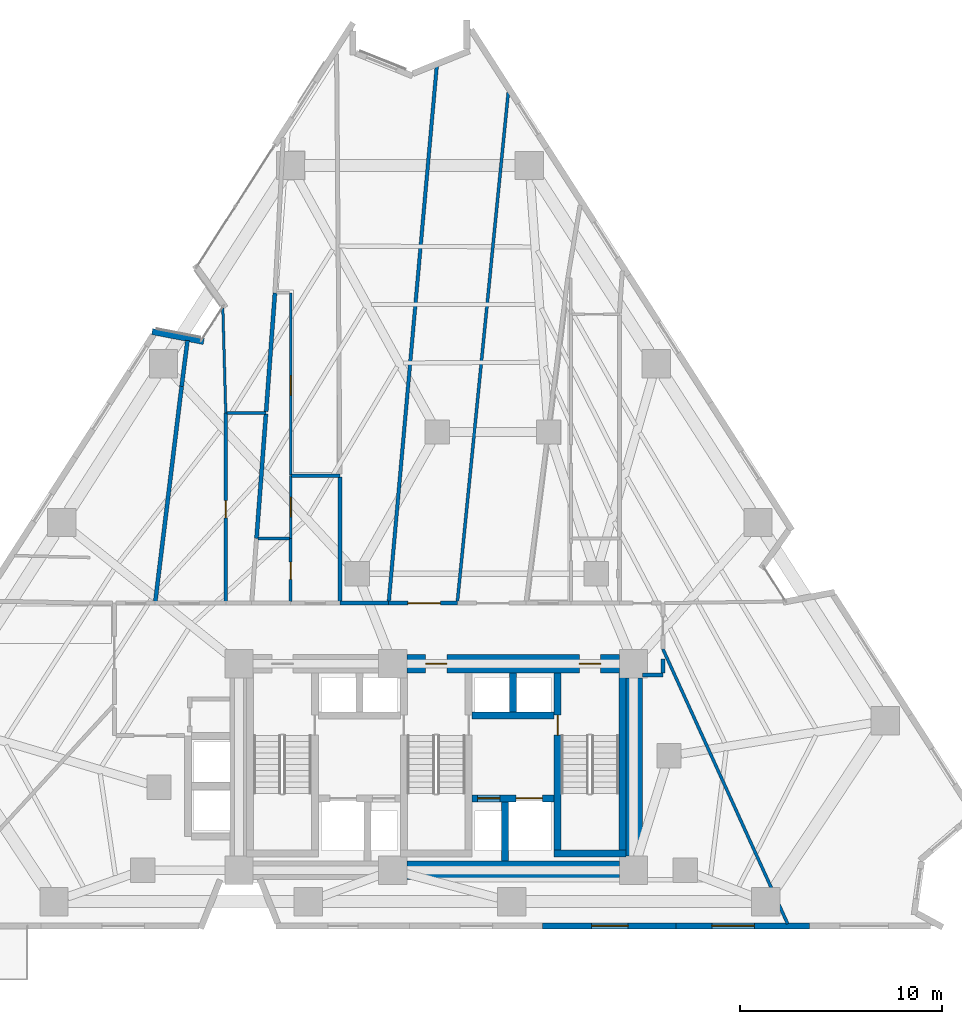
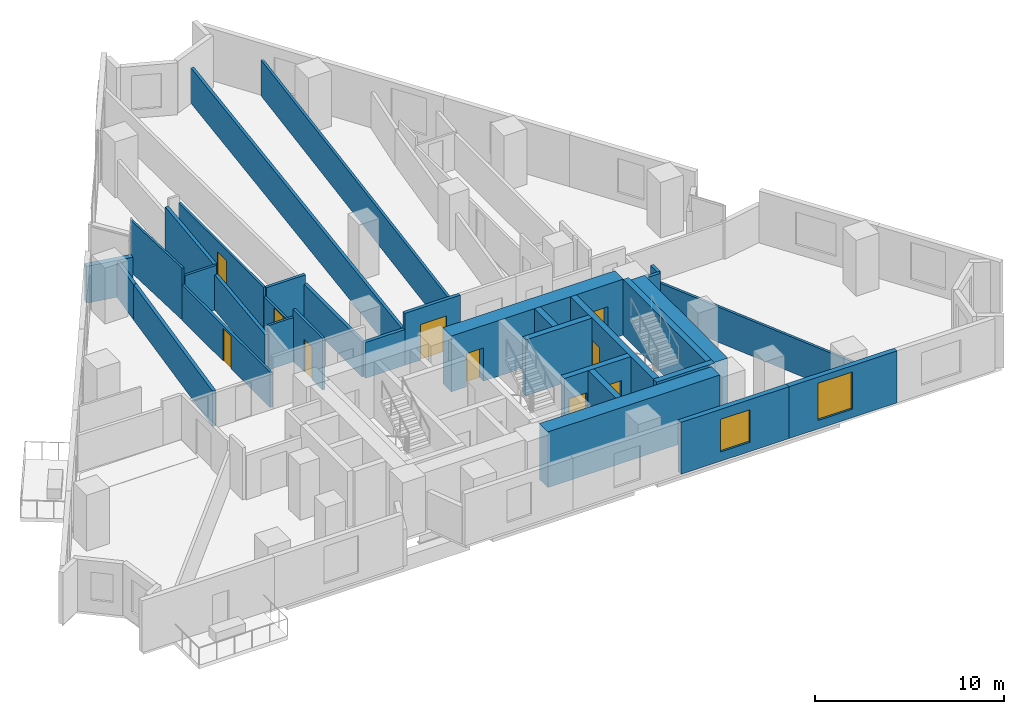
# One storey, part 8 of 14: 33 walls, 10 doors, 2 windows, 12 openings.
"""IFC4 building model written with IfcOpenShell, lengths in metres."""

from ifc_helpers import new_model, si_unit, direction, frame, frame_2d, origin, place, context, subcontext, project, spatial, rectangle, extrude, material, layer, layer_set, type_object, element, fill, save


model = new_model("IFC4")

# Units and contexts
model_context = context("Model", 3, precision=1e-05, world=origin(), true_north=direction((0.0, 1.0)))
body_context = subcontext(model_context, "Body", "Model", "MODEL_VIEW")
ifc_project = project(units=[si_unit("LENGTHUNIT", "METRE"), si_unit("AREAUNIT", "SQUARE_METRE"), si_unit("VOLUMEUNIT", "CUBIC_METRE"), si_unit("PLANEANGLEUNIT", "RADIAN"), si_unit("MASSUNIT", "GRAM", prefix="KILO")], contexts=[model_context])

# Site, building, storey
site_placement = place(None, origin())
site = spatial("IfcSite", under=ifc_project, at=site_placement, CompositionType="ELEMENT")
building_placement = place(site_placement, origin())
building = spatial("IfcBuilding", under=site, at=building_placement, Name="Almagre Mirador Tower", CompositionType="ELEMENT")
storey_placement = place(building_placement, frame((0.0, 0.0, 46.199951171875)))
storey = spatial("IfcBuildingStorey", under=building, at=storey_placement, Name="L10", CompositionType="ELEMENT", Elevation=46.199951171875)

# Wall
ifc_material_1 = material(Name="Precast concrete C50/60", Category="concrete")
ifc_layer_1 = layer(ifc_material_1, 0.300048828125)
ifc_layer_set_1 = layer_set([ifc_layer_1], Name="Precast concrete C50/60")
wall_type_1 = type_object("IfcWallType", Name="WAL-EXT-300", PredefinedType="SOLIDWALL", material=ifc_layer_set_1)
wall_1_placement = place(storey_placement, frame((23.263671875, 31.16552734375, 0.0), z_axis=(0.0, 0.0, 1.0), x_axis=(0.981760587394, -0.190121406053, 0.0)))
element("IfcWall", 1, at=wall_1_placement, inside=storey, type_object=wall_type_1, Name="L10 expressed almagre precast frame wall 01", PredefinedType="SOLIDWALL", context=body_context, shape_type="SweptSolid", body=[
    extrude(rectangle(XDim=2.593994140625, YDim=0.300048828125, at=frame_2d((1.296875, 0.0))), origin(), (0.0, 0.0, 1.0), 2.375),
])

# Wall, opening, window
wall_2_placement = place(storey_placement, frame((55.747314453125, 1.800048828125, 0.0), z_axis=(0.0, 0.0, 1.0), x_axis=(-1.0, 0.0, 0.0)))
wall_2 = element("IfcWall", 2, at=wall_2_placement, inside=storey, type_object=wall_type_1, Name="L10 expressed almagre precast frame wall 21", PredefinedType="SOLIDWALL", context=body_context, shape_type="SweptSolid", body=[
    extrude(rectangle(XDim=6.593017578125, YDim=0.300048828125, at=frame_2d((3.29638671875, 0.0))), origin(), (0.0, 0.0, 1.0), 3.35009765625),
])
opening_1_placement = place(wall_2_placement, frame((2.72509765625, 0.0, 0.550048828125)))
opening_1 = element("IfcOpeningElement", 3, at=opening_1_placement, cuts=wall_2, Name="Opening WN-05", PredefinedType="OPENING", context=body_context, shape_type="SweptSolid", body=[
    extrude(rectangle(XDim=2.10009765625, YDim=2.39990234375, at=frame_2d((1.050048828125, 1.199951171875))), frame((0.0, 0.159902, 0.0), z_axis=(0.0, -1.0, 0.0), x_axis=(1.0, 0.0, 0.0)), (0.0, 0.0, 1.0), 0.320049),
])
ifc_material_2 = material(Name="Dark solar-control laminated hurricane glass", Category="glass")
window_type_1 = type_object("IfcWindowType", Name="WIN-2100X2400", PartitioningType="DOUBLE_PANEL_VERTICAL", PredefinedType="WINDOW", material=ifc_material_2)
window_1_placement = place(opening_1_placement, origin())
window_1 = element("IfcWindow", 4, at=window_1_placement, inside=storey, type_object=window_type_1, Name="L10 recessed hurricane window L10-RST-B", OverallHeight=2.39990234375, OverallWidth=2.10009765625, PartitioningType="SINGLE_PANEL", PredefinedType="WINDOW", context=body_context, shape_type="SweptSolid", body=[
    extrude(rectangle(XDim=2.10009765625, YDim=2.39990234375, at=frame_2d((1.050048828125, 1.199951171875))), frame((0.0, 0.030029296875, 0.0), z_axis=(0.0, -1.0, 0.0), x_axis=(1.0, 0.0, 0.0)), (0.0, 0.0, 1.0), 0.06005859375),
])
fill(opening_1, window_1)

wall_3_placement = place(storey_placement, frame((49.154296875, 1.800048828125, 0.0), z_axis=(0.0, 0.0, 1.0), x_axis=(-1.0, 0.0, 0.0)))
wall_3 = element("IfcWall", 5, at=wall_3_placement, inside=storey, type_object=wall_type_1, Name="L10 expressed almagre precast frame wall 22", PredefinedType="SOLIDWALL", context=body_context, shape_type="SweptSolid", body=[
    extrude(rectangle(XDim=6.5927734375, YDim=0.300048828125, at=frame_2d((3.29638671875, 0.0))), origin(), (0.0, 0.0, 1.0), 3.35009765625),
])
opening_2_placement = place(wall_3_placement, frame((2.375, 0.0, 0.60009765625)))
opening_2 = element("IfcOpeningElement", 6, at=opening_2_placement, cuts=wall_3, Name="Opening WN-01", PredefinedType="OPENING", context=body_context, shape_type="SweptSolid", body=[
    extrude(rectangle(XDim=1.800048828125, YDim=2.10009765625, at=frame_2d((0.89990234375, 1.050048828125))), frame((0.0, 0.159902, 0.0), z_axis=(0.0, -1.0, 0.0), x_axis=(1.0, 0.0, 0.0)), (0.0, 0.0, 1.0), 0.320049),
])
ifc_material_3 = material(Name="Dark solar-control laminated hurricane glass", Category="glass")
window_type_2 = type_object("IfcWindowType", Name="WIN-1800X2100", PartitioningType="DOUBLE_PANEL_VERTICAL", PredefinedType="WINDOW", material=ifc_material_3)
window_2_placement = place(opening_2_placement, origin())
window_2 = element("IfcWindow", 7, at=window_2_placement, inside=storey, type_object=window_type_2, Name="L10 recessed hurricane window L10-RST-B", OverallHeight=2.10009765625, OverallWidth=1.800048828125, PartitioningType="SINGLE_PANEL", PredefinedType="WINDOW", context=body_context, shape_type="SweptSolid", body=[
    extrude(rectangle(XDim=1.800048828125, YDim=2.10009765625, at=frame_2d((0.89990234375, 1.050048828125))), frame((0.0, 0.030029296875, 0.0), z_axis=(0.0, -1.0, 0.0), x_axis=(1.0, 0.0, 0.0)), (0.0, 0.0, 1.0), 0.06005859375),
])
fill(opening_2, window_2)

# Wall
ifc_material_4 = material(Name="Gypsum acoustic stud partition", Category="other")
ifc_layer_2 = layer(ifc_material_4, 0.125)
ifc_layer_set_2 = layer_set([ifc_layer_2], Name="Gypsum acoustic stud partition")
wall_type_2 = type_object("IfcWallType", Name="WAL-PRT-125-UTL", PredefinedType="PARTITIONING", material=ifc_layer_set_2)
wall_4_placement = place(storey_placement, frame((26.89990234375, 27.14990234375, 0.0), z_axis=(0.0, 0.0, 1.0), x_axis=(-0.027919708485, 0.999610168955, 0.0)))
element("IfcWall", 8, at=wall_4_placement, inside=storey, type_object=wall_type_2, Name="L10 interior partition 040", PredefinedType="PARTITIONING", context=body_context, shape_type="SweptSolid", body=[
    extrude(rectangle(XDim=5.194091796875, YDim=0.125, at=frame_2d((2.59716796875, 0.0))), origin(), (0.0, 0.0, 1.0), 3.35009765625),
])

# Wall, opening, door
wall_5_placement = place(storey_placement, frame((30.10009765625, 24.050048828125, 0.0), z_axis=(0.0, 0.0, 1.0), x_axis=(0.0, -1.0, 0.0)))
wall_5 = element("IfcWall", 9, at=wall_5_placement, inside=storey, type_object=wall_type_2, Name="L10 interior partition 047", PredefinedType="PARTITIONING", context=body_context, shape_type="SweptSolid", body=[
    extrude(rectangle(XDim=3.10009765625, YDim=0.125, at=frame_2d((1.550048828125, 0.0))), origin(), (0.0, 0.0, 1.0), 2.279052734375),
])
opening_3_placement = place(wall_5_placement, frame((1.074951171875, 0.0, 0.0)))
opening_3 = element("IfcOpeningElement", 10, at=opening_3_placement, cuts=wall_5, Name="Opening UD-01", PredefinedType="OPENING", context=body_context, shape_type="SweptSolid", body=[
    extrude(rectangle(XDim=0.949951171875, YDim=2.199951171875, at=frame_2d((0.47509765625, 1.10009765625))), frame((0.0, 0.0725, 0.0), z_axis=(0.0, -1.0, 0.0), x_axis=(1.0, 0.0, 0.0)), (0.0, 0.0, 1.0), 0.145),
])
ifc_material_5 = material(Name="Solid American walnut timber", Category="wood")
door_type_1 = type_object("IfcDoorType", Name="DOR-UNR-950X2200", OperationType="NOTDEFINED", PredefinedType="DOOR", material=ifc_material_5)
door_1_placement = place(opening_3_placement, origin())
door_1 = element("IfcDoor", 11, at=door_1_placement, inside=storey, type_object=door_type_1, Name="DR-0335 L10 interior door L10-UJ-ST to L10-UJ-KT", OperationType="SINGLE_SWING_LEFT", OverallHeight=2.199951171875, OverallWidth=0.949951171875, PredefinedType="DOOR", context=body_context, shape_type="SweptSolid", body=[
    extrude(rectangle(XDim=0.949951171875, YDim=2.199951171875, at=frame_2d((0.47509765625, 1.10009765625))), frame((0.0, 0.02490234375, 0.0), z_axis=(0.0, -1.0, 0.0), x_axis=(1.0, 0.0, 0.0)), (0.0, 0.0, 1.0), 0.050048828125),
])
fill(opening_3, door_1)

wall_6_placement = place(storey_placement, frame((30.10009765625, 24.074951171875, 0.0), z_axis=(0.0, 0.0, 1.0), x_axis=(0.0, 1.0, 0.0)))
wall_6 = element("IfcWall", 12, at=wall_6_placement, inside=storey, type_object=wall_type_2, Name="L10 interior partition 051", PredefinedType="PARTITIONING", context=body_context, shape_type="SweptSolid", body=[
    extrude(rectangle(XDim=9.005126953125, YDim=0.125, at=frame_2d((4.50244140625, 0.0))), origin(), (0.0, 0.0, 1.0), 2.860107421875),
])
opening_4_placement = place(wall_6_placement, frame((3.955078125, 0.0, 0.0)))
opening_4 = element("IfcOpeningElement", 13, at=opening_4_placement, cuts=wall_6, Name="Opening UD-01", PredefinedType="OPENING", context=body_context, shape_type="SweptSolid", body=[
    extrude(rectangle(XDim=0.949951171875, YDim=2.199951171875, at=frame_2d((0.47509765625, 1.10009765625))), frame((0.0, 0.0725, 0.0), z_axis=(0.0, -1.0, 0.0), x_axis=(1.0, 0.0, 0.0)), (0.0, 0.0, 1.0), 0.145),
])
door_2_placement = place(opening_4_placement, origin())
door_2 = element("IfcDoor", 14, at=door_2_placement, inside=storey, type_object=door_type_1, Name="DR-0337 L10 interior door L10-UJ-KT to L10-UJ-SL1", OperationType="SINGLE_SWING_LEFT", OverallHeight=2.199951171875, OverallWidth=0.949951171875, PredefinedType="DOOR", context=body_context, shape_type="SweptSolid", body=[
    extrude(rectangle(XDim=0.949951171875, YDim=2.199951171875, at=frame_2d((0.47509765625, 1.10009765625))), frame((0.0, 0.02490234375, 0.0), z_axis=(0.0, -1.0, 0.0), x_axis=(1.0, 0.0, 0.0)), (0.0, 0.0, 1.0), 0.050048828125),
])
fill(opening_4, door_2)

# Wall
ifc_material_6 = material(Name="Gypsum acoustic stud partition", Category="other")
ifc_layer_3 = layer(ifc_material_6, 0.14990234375)
ifc_layer_set_3 = layer_set([ifc_layer_3], Name="Gypsum acoustic stud partition")
wall_type_3 = type_object("IfcWallType", Name="WAL-PRT-150-STD", PredefinedType="PARTITIONING", material=ifc_layer_set_3)
wall_7_placement = place(storey_placement, frame((54.6640625, 1.903076171875, 0.0), z_axis=(0.0, 0.0, 1.0), x_axis=(-0.413399508634, 0.910549749471, 0.0)))
element("IfcWall", 15, at=wall_7_placement, inside=storey, type_object=wall_type_3, Name="L10 interior partition 019", PredefinedType="PARTITIONING", context=body_context, shape_type="SweptSolid", body=[
    extrude(rectangle(XDim=14.91064453125, YDim=0.14990234375, at=frame_2d((7.455322265625, 0.0))), origin(), (0.0, 0.0, 1.0), 2.279052734375),
])

# Wall, opening, door
wall_8_placement = place(storey_placement, frame((26.89990234375, 17.8349609375, 0.0), z_axis=(0.0, 0.0, 1.0), x_axis=(0.0, 1.0, 0.0)))
wall_8 = element("IfcWall", 16, at=wall_8_placement, inside=storey, type_object=wall_type_3, Name="L10 interior partition 039", PredefinedType="PARTITIONING", context=body_context, shape_type="SweptSolid", body=[
    extrude(rectangle(XDim=9.31494140625, YDim=0.14990234375, at=frame_2d((4.657470703125, 0.0))), origin(), (0.0, 0.0, 1.0), 2.279052734375),
])
opening_5_placement = place(wall_8_placement, frame((4.130126953125, 0.0, 0.0)))
opening_5 = element("IfcOpeningElement", 17, at=opening_5_placement, cuts=wall_8, Name="Opening UD-04", PredefinedType="OPENING", context=body_context, shape_type="SweptSolid", body=[
    extrude(rectangle(XDim=0.85009765625, YDim=2.10009765625, at=frame_2d((0.425048828125, 1.050048828125))), frame((0.0, 0.084951, 0.0), z_axis=(0.0, -1.0, 0.0), x_axis=(1.0, 0.0, 0.0)), (0.0, 0.0, 1.0), 0.169902),
])
ifc_material_7 = material(Name="Moisture-resistant oak timber", Category="wood")
door_type_2 = type_object("IfcDoorType", Name="DOR-UNR-850X2100", OperationType="NOTDEFINED", PredefinedType="DOOR", material=ifc_material_7)
door_3_placement = place(opening_5_placement, origin())
door_3 = element("IfcDoor", 18, at=door_3_placement, inside=storey, type_object=door_type_2, Name="DR-0333 L10 interior door L10-UH-ST to L10-UH-BT", OperationType="SINGLE_SWING_LEFT", OverallHeight=2.10009765625, OverallWidth=0.85009765625, PredefinedType="DOOR", context=body_context, shape_type="SweptSolid", body=[
    extrude(rectangle(XDim=0.85009765625, YDim=2.10009765625, at=frame_2d((0.425048828125, 1.050048828125))), frame((0.0, 0.02490234375, 0.0), z_axis=(0.0, -1.0, 0.0), x_axis=(1.0, 0.0, 0.0)), (0.0, 0.0, 1.0), 0.050048828125),
])
fill(opening_5, door_3)

# Wall
wall_9_placement = place(storey_placement, frame((28.889892578125, 27.14990234375, 0.0), z_axis=(0.0, 0.0, 1.0), x_axis=(-1.0, 0.0, 0.0)))
element("IfcWall", 19, at=wall_9_placement, inside=storey, type_object=wall_type_3, Name="L10 interior partition 041", PredefinedType="PARTITIONING", context=body_context, shape_type="SweptSolid", body=[
    extrude(rectangle(XDim=1.929931640625, YDim=0.14990234375, at=frame_2d((0.96484375, 0.0))), origin(), (0.0, 0.0, 1.0), 2.860107421875),
])

# Wall, opening, door
wall_10_placement = place(storey_placement, frame((30.10009765625, 20.949951171875, 0.0), z_axis=(0.0, 0.0, 1.0), x_axis=(0.0, -1.0, 0.0)))
wall_10 = element("IfcWall", 20, at=wall_10_placement, inside=storey, type_object=wall_type_3, Name="L10 interior partition 046", PredefinedType="PARTITIONING", context=body_context, shape_type="SweptSolid", body=[
    extrude(rectangle(XDim=3.114990234375, YDim=0.14990234375, at=frame_2d((1.5576171875, 0.0))), origin(), (0.0, 0.0, 1.0), 3.35009765625),
])
opening_6_placement = place(wall_10_placement, frame((1.175048828125, 0.0, 0.0)))
opening_6 = element("IfcOpeningElement", 21, at=opening_6_placement, cuts=wall_10, Name="Opening UD-04", PredefinedType="OPENING", context=body_context, shape_type="SweptSolid", body=[
    extrude(rectangle(XDim=0.85009765625, YDim=2.10009765625, at=frame_2d((0.425048828125, 1.050048828125))), frame((0.0, 0.084951, 0.0), z_axis=(0.0, -1.0, 0.0), x_axis=(1.0, 0.0, 0.0)), (0.0, 0.0, 1.0), 0.169902),
])
door_4_placement = place(opening_6_placement, origin())
door_4 = element("IfcDoor", 22, at=door_4_placement, inside=storey, type_object=door_type_2, Name="DR-0336 L10 interior door L10-UJ-ST to L10-UJ-HB", OperationType="SINGLE_SWING_RIGHT", OverallHeight=2.10009765625, OverallWidth=0.85009765625, PredefinedType="DOOR", context=body_context, shape_type="SweptSolid", body=[
    extrude(rectangle(XDim=0.85009765625, YDim=2.10009765625, at=frame_2d((0.425048828125, 1.050048828125))), frame((0.0, 0.02490234375, 0.0), z_axis=(0.0, -1.0, 0.0), x_axis=(1.0, 0.0, 0.0)), (0.0, 0.0, 1.0), 0.050048828125),
])
fill(opening_6, door_4)

# Walls
wall_11_placement = place(storey_placement, frame((30.0400390625, 20.949951171875, 0.0), z_axis=(0.0, 0.0, 1.0), x_axis=(-1.0, 0.0, 0.0)))
element("IfcWall", 23, at=wall_11_placement, inside=storey, type_object=wall_type_3, Name="L10 interior partition 050", PredefinedType="PARTITIONING", context=body_context, shape_type="SweptSolid", body=[
    extrude(rectangle(XDim=1.53515625, YDim=0.14990234375, at=frame_2d((0.767578125, 0.0))), origin(), (0.0, 0.0, 1.0), 2.860107421875),
])
wall_12_placement = place(storey_placement, frame((38.348388671875, 17.834716796875, 0.0), z_axis=(0.0, 0.0, 1.0), x_axis=(0.099373590791, 0.995050194439, 0.0)))
element("IfcWall", 24, at=wall_12_placement, inside=storey, type_object=wall_type_3, Name="L10 interior partition 055", PredefinedType="PARTITIONING", context=body_context, shape_type="SweptSolid", body=[
    extrude(rectangle(XDim=25.26318359375, YDim=0.14990234375, at=frame_2d((12.631591796875, 0.0))), origin(), (0.0, 0.0, 1.0), 2.30908203125),
])
ifc_material_8 = material(Name="Gypsum acoustic stud partition", Category="other")
ifc_layer_4 = layer(ifc_material_8, 0.175048828125)
ifc_layer_set_4 = layer_set([ifc_layer_4], Name="Gypsum acoustic stud partition")
wall_type_4 = type_object("IfcWallType", Name="WAL-PRT-175-AC", PredefinedType="PARTITIONING", material=ifc_layer_set_4)
wall_13_placement = place(storey_placement, frame((32.5400390625, 24.050048828125, 0.0), z_axis=(0.0, 0.0, 1.0), x_axis=(-1.0, 0.0, 0.0)))
element("IfcWall", 25, at=wall_13_placement, inside=storey, type_object=wall_type_4, Name="L10 interior partition 048", PredefinedType="PARTITIONING", context=body_context, shape_type="SweptSolid", body=[
    extrude(rectangle(XDim=2.392578125, YDim=0.175048828125, at=frame_2d((1.1962890625, 0.0))), origin(), (0.0, 0.0, 1.0), 2.860107421875),
])
wall_14_placement = place(storey_placement, frame((34.95751953125, 17.834716796875, 0.0), z_axis=(0.0, 0.0, 1.0), x_axis=(0.089195706305, 0.996014119366, 0.0)))
element("IfcWall", 26, at=wall_14_placement, inside=storey, type_object=wall_type_4, Name="L10 interior partition 054", PredefinedType="PARTITIONING", context=body_context, shape_type="SweptSolid", body=[
    extrude(rectangle(XDim=26.531005859375, YDim=0.175048828125, at=frame_2d((13.265625, 0.0))), origin(), (0.0, 0.0, 1.0), 2.279052734375),
])
ifc_material_9 = material(Name="Gypsum acoustic stud partition", Category="other")
ifc_layer_5 = layer(ifc_material_9, 0.199951171875)
ifc_layer_set_5 = layer_set([ifc_layer_5], Name="Gypsum acoustic stud partition")
wall_type_5 = type_object("IfcWallType", Name="WAL-PRT-200-EI60", PredefinedType="PARTITIONING", material=ifc_layer_set_5)
wall_15_placement = place(storey_placement, frame((47.5, 14.199951171875, 0.0), z_axis=(0.0, 0.0, 1.0), x_axis=(1.0, 0.0, 0.0)))
element("IfcWall", 27, at=wall_15_placement, inside=storey, type_object=wall_type_5, Name="L10 interior partition 003", PredefinedType="PARTITIONING", context=body_context, shape_type="SweptSolid", body=[
    extrude(rectangle(XDim=1.0, YDim=0.199951171875, at=frame_2d((0.5, 0.0))), origin(), (0.0, 0.0, 1.0), 3.35009765625),
])
wall_16_placement = place(storey_placement, frame((48.5, 14.284912109375, 0.0), z_axis=(0.0, 0.0, 1.0), x_axis=(0.0, 1.0, 0.0)))
element("IfcWall", 28, at=wall_16_placement, inside=storey, type_object=wall_type_5, Name="L10 interior partition 004", PredefinedType="PARTITIONING", context=body_context, shape_type="SweptSolid", body=[
    extrude(rectangle(XDim=0.711181640625, YDim=0.199951171875, at=frame_2d((0.35546875, 0.0))), origin(), (0.0, 0.0, 1.0), 3.35009765625),
])
wall_17_placement = place(storey_placement, frame((34.949951171875, 17.75, 0.0), z_axis=(0.0, 0.0, 1.0), x_axis=(-1.0, 0.0, 0.0)))
element("IfcWall", 29, at=wall_17_placement, inside=storey, type_object=wall_type_5, Name="L10 interior partition 015", PredefinedType="PARTITIONING", context=body_context, shape_type="SweptSolid", body=[
    extrude(rectangle(XDim=2.409912109375, YDim=0.199951171875, at=frame_2d((1.205078125, 0.0))), origin(), (0.0, 0.0, 1.0), 2.30908203125),
])

# Wall, opening, door
wall_18_placement = place(storey_placement, frame((38.340087890625, 17.75, 0.0), z_axis=(0.0, 0.0, 1.0), x_axis=(-1.0, 0.0, 0.0)))
wall_18 = element("IfcWall", 30, at=wall_18_placement, inside=storey, type_object=wall_type_5, Name="L10 interior partition 016", PredefinedType="PARTITIONING", context=body_context, shape_type="SweptSolid", body=[
    extrude(rectangle(XDim=3.39013671875, YDim=0.199951171875, at=frame_2d((1.695068359375, 0.0))), origin(), (0.0, 0.0, 1.0), 3.35009765625),
])
opening_7_placement = place(wall_18_placement, frame((0.8369140625, 0.0, 0.0)))
opening_7 = element("IfcOpeningElement", 31, at=opening_7_placement, cuts=wall_18, Name="Opening ID-05", PredefinedType="OPENING", context=body_context, shape_type="SweptSolid", body=[
    extrude(rectangle(XDim=1.60009765625, YDim=2.300048828125, at=frame_2d((0.800048828125, 1.14990234375))), frame((0.0, 0.110098, 0.0), z_axis=(0.0, -1.0, 0.0), x_axis=(1.0, 0.0, 0.0)), (0.0, 0.0, 1.0), 0.219951),
])
ifc_material_10 = material(Name="Fire-rated acoustic timber", Category="wood")
door_type_3 = type_object("IfcDoorType", Name="DOR-FD60-1600X2300", OperationType="DOUBLE_DOOR_SINGLE_SWING", PredefinedType="DOOR", material=ifc_material_10)
door_5_placement = place(opening_7_placement, origin())
door_5 = element("IfcDoor", 32, at=door_5_placement, inside=storey, type_object=door_type_3, Name="DR-0325 L10 interior door L10-RCOR to L10-RST-L", OperationType="DOUBLE_DOOR_SINGLE_SWING", OverallHeight=2.300048828125, OverallWidth=1.60009765625, PredefinedType="DOOR", context=body_context, shape_type="SweptSolid", body=[
    extrude(rectangle(XDim=1.60009765625, YDim=2.300048828125, at=frame_2d((0.800048828125, 1.14990234375))), frame((0.0, 0.02490234375, 0.0), z_axis=(0.0, -1.0, 0.0), x_axis=(1.0, 0.0, 0.0)), (0.0, 0.0, 1.0), 0.050048828125),
])
fill(opening_7, door_5)

# Walls
wall_19_placement = place(storey_placement, frame((23.42041015625, 17.83447265625, 0.0), z_axis=(0.0, 0.0, 1.0), x_axis=(0.121401324793, 0.992603505101, 0.0)))
element("IfcWall", 33, at=wall_19_placement, inside=storey, type_object=wall_type_5, Name="L10 interior partition 026", PredefinedType="PARTITIONING", context=body_context, shape_type="SweptSolid", body=[
    extrude(rectangle(XDim=10.70458984375, YDim=0.199951171875, at=frame_2d((5.352294921875, 0.0))), origin(), (0.0, 0.0, 1.0), 2.279052734375),
])
wall_20_placement = place(storey_placement, frame((24.719970703125, 28.4599609375, 0.0), z_axis=(0.0, 0.0, 1.0), x_axis=(0.126059314356, 0.992022706022, 0.0)))
element("IfcWall", 34, at=wall_20_placement, inside=storey, type_object=wall_type_5, Name="L10 interior partition 027", PredefinedType="PARTITIONING", context=body_context, shape_type="SweptSolid", body=[
    extrude(rectangle(XDim=2.285400390625, YDim=0.199951171875, at=frame_2d((1.142578125, 0.0))), origin(), (0.0, 0.0, 1.0), 2.279052734375),
])
wall_21_placement = place(storey_placement, frame((28.419921875, 20.949951171875, 0.0), z_axis=(0.0, 0.0, 1.0), x_axis=(0.075608009432, 0.997137617839, 0.0)))
element("IfcWall", 35, at=wall_21_placement, inside=storey, type_object=wall_type_5, Name="L10 interior partition 043", PredefinedType="PARTITIONING", context=body_context, shape_type="SweptSolid", body=[
    extrude(rectangle(XDim=6.15771484375, YDim=0.199951171875, at=frame_2d((3.078857421875, 0.0))), origin(), (0.0, 0.0, 1.0), 2.279052734375),
])
wall_22_placement = place(storey_placement, frame((28.894287109375, 27.209716796875, 0.0), z_axis=(0.0, 0.0, 1.0), x_axis=(0.074032094362, 0.997255859348, 0.0)))
element("IfcWall", 36, at=wall_22_placement, inside=storey, type_object=wall_type_5, Name="L10 interior partition 044", PredefinedType="PARTITIONING", context=body_context, shape_type="SweptSolid", body=[
    extrude(rectangle(XDim=5.886474609375, YDim=0.199951171875, at=frame_2d((2.943359375, 0.0))), origin(), (0.0, 0.0, 1.0), 2.860107421875),
])
wall_23_placement = place(storey_placement, frame((32.5400390625, 17.8349609375, 0.0), z_axis=(0.0, 0.0, 1.0), x_axis=(0.0, 1.0, 0.0)))
element("IfcWall", 37, at=wall_23_placement, inside=storey, type_object=wall_type_5, Name="L10 interior partition 049", PredefinedType="PARTITIONING", context=body_context, shape_type="SweptSolid", body=[
    extrude(rectangle(XDim=6.142578125, YDim=0.199951171875, at=frame_2d((3.0712890625, 0.0))), origin(), (0.0, 0.0, 1.0), 2.279052734375),
])

# Wall, opening, door
ifc_material_11 = material(Name="Concrete C60/75", Category="concrete")
ifc_layer_6 = layer(ifc_material_11, 0.35009765625)
ifc_layer_set_6 = layer_set([ifc_layer_6], Name="Concrete C60/75")
wall_type_6 = type_object("IfcWallType", Name="WAL-SHF-350", PredefinedType="SOLIDWALL", material=ifc_layer_set_6)
wall_24_placement = place(storey_placement, frame((43.300048828125, 5.199951171875, 0.0), z_axis=(0.0, 0.0, 1.0), x_axis=(0.0, 1.0, 0.0)))
wall_24 = element("IfcWall", 38, at=wall_24_placement, inside=storey, type_object=wall_type_6, Name="L10 shaft wall ST3-W", PredefinedType="SOLIDWALL", context=body_context, shape_type="SweptSolid", body=[
    extrude(rectangle(XDim=9.10009765625, YDim=0.35009765625, at=frame_2d((4.550048828125, 0.0))), origin(), (0.0, 0.0, 1.0), 3.60009765625),
])
opening_8_placement = place(wall_24_placement, frame((6.02001953125, 0.0, 0.0)))
opening_8 = element("IfcOpeningElement", 39, at=opening_8_placement, cuts=wall_24, Name="Opening FD-01", PredefinedType="OPENING", context=body_context, shape_type="SweptSolid", body=[
    extrude(rectangle(XDim=1.0, YDim=2.14990234375, at=frame_2d((0.5, 1.074951171875))), frame((0.0, 0.185049, 0.0), z_axis=(0.0, -1.0, 0.0), x_axis=(1.0, 0.0, 0.0)), (0.0, 0.0, 1.0), 0.370098),
])
ifc_material_12 = material(Name="Fire-rated hollow steel", Category="steel")
door_type_4 = type_object("IfcDoorType", Name="DOR-FFL-1000X2150", OperationType="NOTDEFINED", PredefinedType="DOOR", material=ifc_material_12)
door_6_placement = place(opening_8_placement, origin())
door_6 = element("IfcDoor", 40, at=door_6_placement, inside=storey, type_object=door_type_4, Name="DR-0320 L10 FFL2-ST3 smokeproof door", OperationType="SINGLE_SWING_LEFT", OverallHeight=2.14990234375, OverallWidth=1.0, PredefinedType="DOOR", context=body_context, shape_type="SweptSolid", body=[
    extrude(rectangle(XDim=1.0, YDim=2.14990234375, at=frame_2d((0.5, 1.074951171875))), frame((0.0, 0.02490234375, 0.0), z_axis=(0.0, -1.0, 0.0), x_axis=(1.0, 0.0, 0.0)), (0.0, 0.0, 1.0), 0.050048828125),
])
fill(opening_8, door_6)

# Walls
wall_25_placement = place(storey_placement, frame((46.5, 5.199951171875, 0.0), z_axis=(0.0, 0.0, 1.0), x_axis=(0.0, 1.0, 0.0)))
element("IfcWall", 41, at=wall_25_placement, inside=storey, type_object=wall_type_6, Name="L10 shaft wall ST3-E", PredefinedType="SOLIDWALL", context=body_context, shape_type="SweptSolid", body=[
    extrude(rectangle(XDim=9.10009765625, YDim=0.35009765625, at=frame_2d((4.550048828125, 0.0))), origin(), (0.0, 0.0, 1.0), 3.60009765625),
])
wall_26_placement = place(storey_placement, frame((43.125, 5.375, 0.0), z_axis=(0.0, 0.0, 1.0), x_axis=(1.0, 0.0, 0.0)))
element("IfcWall", 42, at=wall_26_placement, inside=storey, type_object=wall_type_6, Name="L10 shaft wall ST3-S", PredefinedType="SOLIDWALL", context=body_context, shape_type="SweptSolid", body=[
    extrude(rectangle(XDim=3.550048828125, YDim=0.35009765625, at=frame_2d((1.77490234375, 0.0))), origin(), (0.0, 0.0, 1.0), 3.60009765625),
])

# Wall, openings, doors
wall_27_placement = place(storey_placement, frame((39.074951171875, 8.10009765625, 0.0), z_axis=(0.0, 0.0, 1.0), x_axis=(1.0, 0.0, 0.0)))
wall_27 = element("IfcWall", 43, at=wall_27_placement, inside=storey, type_object=wall_type_6, Name="L10 shaft wall FSAE2-N", PredefinedType="SOLIDWALL", context=body_context, shape_type="SweptSolid", body=[
    extrude(rectangle(XDim=4.050048828125, YDim=0.35009765625, at=frame_2d((2.02490234375, 0.0))), origin(), (0.0, 0.0, 1.0), 3.60009765625),
])
opening_9_placement = place(wall_27_placement, frame((2.175048828125, 0.0, 0.0)))
opening_9 = element("IfcOpeningElement", 44, at=opening_9_placement, cuts=wall_27, Name="Opening LD-03", PredefinedType="OPENING", context=body_context, shape_type="SweptSolid", body=[
    extrude(rectangle(XDim=1.300048828125, YDim=2.25, at=frame_2d((0.64990234375, 1.125))), frame((0.0, 0.185049, 0.0), z_axis=(0.0, -1.0, 0.0), x_axis=(1.0, 0.0, 0.0)), (0.0, 0.0, 1.0), 0.370098),
])
opening_10_placement = place(wall_27_placement, frame((0.27490234375, 0.0, 0.0)))
opening_10 = element("IfcOpeningElement", 45, at=opening_10_placement, cuts=wall_27, Name="Opening LD-01", PredefinedType="OPENING", context=body_context, shape_type="SweptSolid", body=[
    extrude(rectangle(XDim=1.10009765625, YDim=2.199951171875, at=frame_2d((0.550048828125, 1.10009765625))), frame((0.0, 0.185049, 0.0), z_axis=(0.0, -1.0, 0.0), x_axis=(1.0, 0.0, 0.0)), (0.0, 0.0, 1.0), 0.370098),
])
ifc_material_13 = material(Name="Hollow stainless steel", Category="steel")
door_type_5 = type_object("IfcDoorType", Name="DOR-LD-1100X2200", OperationType="DOUBLE_DOOR_SLIDING", PredefinedType="DOOR", material=ifc_material_13)
door_7_placement = place(opening_10_placement, origin())
door_7 = element("IfcDoor", 46, at=door_7_placement, inside=storey, type_object=door_type_5, Name="DR-0341 L10 PL-L2 lift landing door", OperationType="DOUBLE_DOOR_SLIDING", OverallHeight=2.199951171875, OverallWidth=1.10009765625, PredefinedType="DOOR", context=body_context, shape_type="SweptSolid", body=[
    extrude(rectangle(XDim=1.10009765625, YDim=2.199951171875, at=frame_2d((0.550048828125, 1.10009765625))), frame((0.0, 0.02490234375, 0.0), z_axis=(0.0, -1.0, 0.0), x_axis=(1.0, 0.0, 0.0)), (0.0, 0.0, 1.0), 0.050048828125),
])
fill(opening_10, door_7)
ifc_material_14 = material(Name="Hollow stainless steel", Category="steel")
door_type_6 = type_object("IfcDoorType", Name="DOR-LD-1300X2250", OperationType="DOUBLE_DOOR_SLIDING", PredefinedType="DOOR", material=ifc_material_14)
door_8_placement = place(opening_9_placement, origin())
door_8 = element("IfcDoor", 47, at=door_8_placement, inside=storey, type_object=door_type_6, Name="DR-0339 L10 FSAE-2 lift landing door", OperationType="DOUBLE_DOOR_SLIDING", OverallHeight=2.25, OverallWidth=1.300048828125, PredefinedType="DOOR", context=body_context, shape_type="SweptSolid", body=[
    extrude(rectangle(XDim=1.300048828125, YDim=2.25, at=frame_2d((0.64990234375, 1.125))), frame((0.0, 0.02490234375, 0.0), z_axis=(0.0, -1.0, 0.0), x_axis=(1.0, 0.0, 0.0)), (0.0, 0.0, 1.0), 0.050048828125),
])
fill(opening_9, door_8)

# Walls
wall_28_placement = place(storey_placement, frame((40.699951171875, 5.0, 0.0), z_axis=(0.0, 0.0, 1.0), x_axis=(0.0, 1.0, 0.0)))
element("IfcWall", 48, at=wall_28_placement, inside=storey, type_object=wall_type_6, Name="L10 shaft wall FSAE2-W", PredefinedType="SOLIDWALL", context=body_context, shape_type="SweptSolid", body=[
    extrude(rectangle(XDim=2.925048828125, YDim=0.35009765625, at=frame_2d((1.46240234375, 0.0))), origin(), (0.0, 0.0, 1.0), 3.60009765625),
])
wall_29_placement = place(storey_placement, frame((39.074951171875, 12.199951171875, 0.0), z_axis=(0.0, 0.0, 1.0), x_axis=(1.0, 0.0, 0.0)))
element("IfcWall", 49, at=wall_29_placement, inside=storey, type_object=wall_type_6, Name="L10 shaft wall PLH-S", PredefinedType="SOLIDWALL", context=body_context, shape_type="SweptSolid", body=[
    extrude(rectangle(XDim=4.050048828125, YDim=0.35009765625, at=frame_2d((2.02490234375, 0.0))), origin(), (0.0, 0.0, 1.0), 3.60009765625),
])
wall_30_placement = place(storey_placement, frame((41.10009765625, 12.375, 0.0), z_axis=(0.0, 0.0, 1.0), x_axis=(0.0, 1.0, 0.0)))
element("IfcWall", 50, at=wall_30_placement, inside=storey, type_object=wall_type_6, Name="L10 shaft wall PLH-M", PredefinedType="SOLIDWALL", context=body_context, shape_type="SweptSolid", body=[
    extrude(rectangle(XDim=1.925048828125, YDim=0.35009765625, at=frame_2d((0.96240234375, 0.0))), origin(), (0.0, 0.0, 1.0), 3.60009765625),
])
ifc_material_15 = material(Name="Concrete C70/85", Category="concrete")
ifc_layer_7 = layer(ifc_material_15, 0.89990234375)
ifc_layer_set_7 = layer_set([ifc_layer_7], Name="Concrete C70/85")
wall_type_7 = type_object("IfcWallType", Name="WAL-SHR-900", PredefinedType="SHEAR", material=ifc_layer_set_7)
wall_31_placement = place(storey_placement, frame((35.85009765625, 4.550048828125, 0.0), z_axis=(0.0, 0.0, 1.0), x_axis=(1.0, 0.0, 0.0)))
element("IfcWall", 51, at=wall_31_placement, inside=storey, type_object=wall_type_7, Name="L10 core shear wall S2", PredefinedType="SHEAR", context=body_context, shape_type="SweptSolid", body=[
    extrude(rectangle(XDim=10.5, YDim=0.89990234375, at=frame_2d((5.25, 0.0))), origin(), (0.0, 0.0, 1.0), 3.60009765625),
])

# Wall, openings, doors
wall_32_placement = place(storey_placement, frame((35.85009765625, 14.75, 0.0), z_axis=(0.0, 0.0, 1.0), x_axis=(1.0, 0.0, 0.0)))
wall_32 = element("IfcWall", 52, at=wall_32_placement, inside=storey, type_object=wall_type_7, Name="L10 core shear wall N2", PredefinedType="SHEAR", context=body_context, shape_type="SweptSolid", body=[
    extrude(rectangle(XDim=10.5, YDim=0.89990234375, at=frame_2d((5.25, 0.0))), origin(), (0.0, 0.0, 1.0), 3.60009765625),
])
opening_11_placement = place(wall_32_placement, frame((0.925048828125, 0.0, 0.0)))
opening_11 = element("IfcOpeningElement", 53, at=opening_11_placement, cuts=wall_32, Name="Opening SD-01", PredefinedType="OPENING", context=body_context, shape_type="SweptSolid", body=[
    extrude(rectangle(XDim=1.050048828125, YDim=2.14990234375, at=frame_2d((0.52490234375, 1.074951171875))), frame((0.0, 0.459951, 0.0), z_axis=(0.0, -1.0, 0.0), x_axis=(1.0, 0.0, 0.0)), (0.0, 0.0, 1.0), 0.919902),
])
opening_12_placement = place(wall_32_placement, frame((8.52490234375, 0.0, 0.0)))
opening_12 = element("IfcOpeningElement", 54, at=opening_12_placement, cuts=wall_32, Name="Opening SD-01", PredefinedType="OPENING", context=body_context, shape_type="SweptSolid", body=[
    extrude(rectangle(XDim=1.050048828125, YDim=2.14990234375, at=frame_2d((0.52490234375, 1.074951171875))), frame((0.0, 0.459951, 0.0), z_axis=(0.0, -1.0, 0.0), x_axis=(1.0, 0.0, 0.0)), (0.0, 0.0, 1.0), 0.919902),
])
ifc_material_16 = material(Name="Fire-rated hollow steel", Category="steel")
door_type_7 = type_object("IfcDoorType", Name="DOR-ST-1050X2150", OperationType="NOTDEFINED", PredefinedType="DOOR", material=ifc_material_16)
door_9_placement = place(opening_11_placement, origin())
door_9 = element("IfcDoor", 55, at=door_9_placement, inside=storey, type_object=door_type_7, Name="DR-0343 L10 protected exit stair ST-2 door", OperationType="SINGLE_SWING_RIGHT", OverallHeight=2.14990234375, OverallWidth=1.050048828125, PredefinedType="DOOR", context=body_context, shape_type="SweptSolid", body=[
    extrude(rectangle(XDim=1.050048828125, YDim=2.14990234375, at=frame_2d((0.52490234375, 1.074951171875))), frame((0.0, 0.02490234375, 0.0), z_axis=(0.0, -1.0, 0.0), x_axis=(1.0, 0.0, 0.0)), (0.0, 0.0, 1.0), 0.050048828125),
])
fill(opening_11, door_9)
door_10_placement = place(opening_12_placement, origin())
door_10 = element("IfcDoor", 56, at=door_10_placement, inside=storey, type_object=door_type_7, Name="DR-0344 L10 protected exit stair ST-3 door", OperationType="SINGLE_SWING_LEFT", OverallHeight=2.14990234375, OverallWidth=1.050048828125, PredefinedType="DOOR", context=body_context, shape_type="SweptSolid", body=[
    extrude(rectangle(XDim=1.050048828125, YDim=2.14990234375, at=frame_2d((0.52490234375, 1.074951171875))), frame((0.0, 0.02490234375, 0.0), z_axis=(0.0, -1.0, 0.0), x_axis=(1.0, 0.0, 0.0)), (0.0, 0.0, 1.0), 0.050048828125),
])
fill(opening_12, door_10)

# Wall
wall_33_placement = place(storey_placement, frame((47.050048828125, 5.25, 0.0), z_axis=(0.0, 0.0, 1.0), x_axis=(0.0, 1.0, 0.0)))
element("IfcWall", 57, at=wall_33_placement, inside=storey, type_object=wall_type_7, Name="L10 core shear wall E1", PredefinedType="SHEAR", context=body_context, shape_type="SweptSolid", body=[
    extrude(rectangle(XDim=8.800048828125, YDim=0.89990234375, at=frame_2d((4.39990234375, 0.0))), origin(), (0.0, 0.0, 1.0), 3.60009765625),
])

save(model, "model.ifc")
